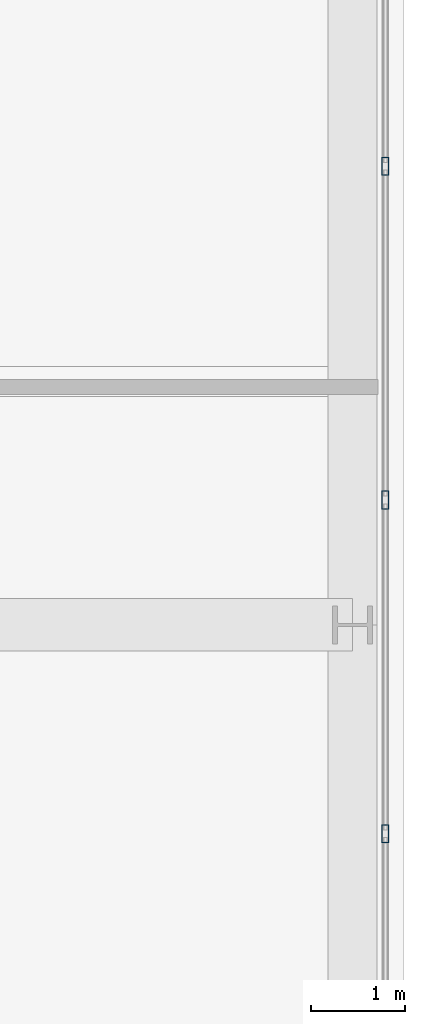
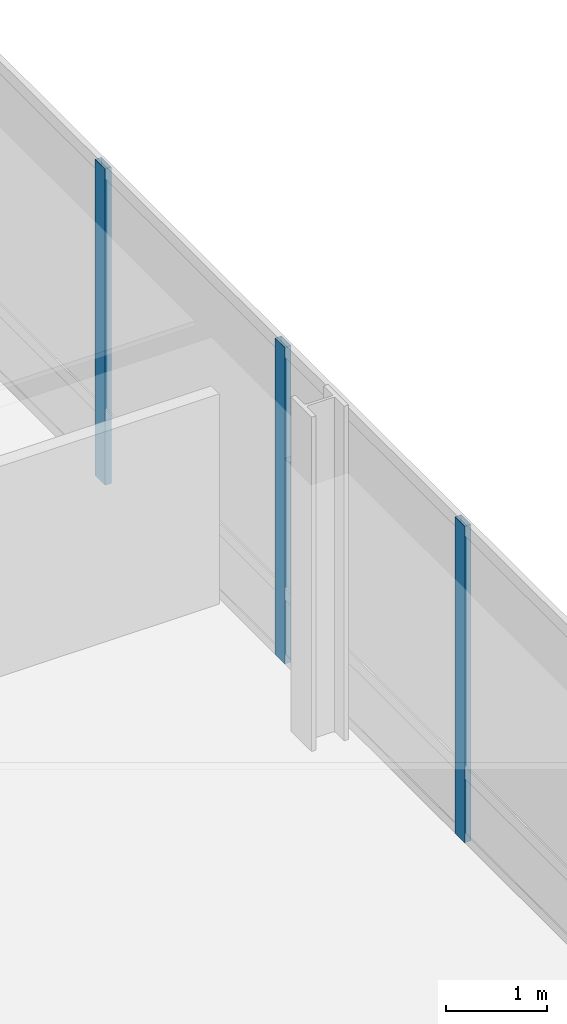
# One storey, part 19 of 36: 3 members, 1 element without a shape of its own.
"""IFC4 building model written with IfcOpenShell, lengths in metres."""

from ifc_helpers import new_model, si_unit, direction, frame, origin, origin_2d, place, context, subcontext, project, spatial, hollow_rectangle, extrude, material, material_profile, profile_set, type_object, element, aggregate, save


model = new_model("IFC4")

# Units and contexts
model_context = context("Model", 3, precision=1e-05, world=origin(), true_north=direction((0.0, 1.0)))
body_context = subcontext(model_context, "Body", "Model", "MODEL_VIEW")
ifc_project = project(units=[si_unit("LENGTHUNIT", "METRE"), si_unit("AREAUNIT", "SQUARE_METRE"), si_unit("VOLUMEUNIT", "CUBIC_METRE"), si_unit("PLANEANGLEUNIT", "RADIAN"), si_unit("MASSUNIT", "GRAM", prefix="KILO")], contexts=[model_context])

# Site, building, storey
site_placement = place(None, origin())
site = spatial("IfcSite", under=ifc_project, at=site_placement, CompositionType="ELEMENT")
building_placement = place(site_placement, origin())
building = spatial("IfcBuilding", under=site, at=building_placement, Name="Punatoya Terracotta Tower", CompositionType="ELEMENT")
storey_placement = place(building_placement, frame((0.0, 0.0, 208.64990234375)))
storey = spatial("IfcBuildingStorey", under=building, at=storey_placement, Name="L49", CompositionType="ELEMENT", Elevation=208.64990234375)

# Curtain wall, members
ifc_material_1 = material(Name="Aluminium 6063-T6 + Double Low-E Glass", Category="aluminium")
curtain_wall_type = type_object("IfcCurtainWallType", Name="CW-M2", PredefinedType="NOTDEFINED", material=ifc_material_1)
curtain_wall_placement = place(storey_placement, origin())
curtain_wall = element("IfcCurtainWall", 1, at=curtain_wall_placement, inside=storey, type_object=curtain_wall_type, Name="L49 Curtain Wall CW-L49-E05-1", PredefinedType="NOTDEFINED")
ifc_material_2 = material(Name="Aluminium 6063-T6", Category="aluminium")
ifc_material_profile = material_profile(ifc_material_2, hollow_rectangle(XDim=0.072021484375, YDim=0.195068359375, WallThickness=0.00439453125, at=origin_2d()))
ifc_profile_set = profile_set([ifc_material_profile], Name="Aluminium 6063-T6")
member_type = type_object("IfcMemberType", Name="CW-MUL-M2", PredefinedType="MULLION", material=ifc_profile_set)
member_1_placement = place(storey_placement, frame((24.85009765625, 1.16748046875, 0.0), z_axis=(0.0, 0.0, 1.0), x_axis=(1.0, 0.0, 0.0)))
member_1 = element("IfcMember", 2, at=member_1_placement, type_object=member_type, Name="CW-L49-E05-1 Mullion 06", PredefinedType="MULLION", context=body_context, shape_type="SweptSolid", body=[
    extrude(hollow_rectangle(XDim=0.072021484375, YDim=0.195068359375, WallThickness=0.00439453125, at=origin_2d()), origin(), (0.0, 0.0, 1.0), 3.830078125),
])
member_2_placement = place(storey_placement, frame((24.85009765625, 4.73486328125, 0.0), z_axis=(0.0, 0.0, 1.0), x_axis=(1.0, 0.0, 0.0)))
member_2 = element("IfcMember", 3, at=member_2_placement, type_object=member_type, Name="CW-L49-E05-1 Mullion 07", PredefinedType="MULLION", context=body_context, shape_type="SweptSolid", body=[
    extrude(hollow_rectangle(XDim=0.072021484375, YDim=0.195068359375, WallThickness=0.00439453125, at=origin_2d()), origin(), (0.0, 0.0, 1.0), 3.830078125),
])
member_3_placement = place(storey_placement, frame((24.85009765625, 8.302001953125, 0.0), z_axis=(0.0, 0.0, 1.0), x_axis=(1.0, 0.0, 0.0)))
member_3 = element("IfcMember", 4, at=member_3_placement, type_object=member_type, Name="CW-L49-E05-1 Mullion 08", PredefinedType="MULLION", context=body_context, shape_type="SweptSolid", body=[
    extrude(hollow_rectangle(XDim=0.072021484375, YDim=0.195068359375, WallThickness=0.00439453125, at=origin_2d()), origin(), (0.0, 0.0, 1.0), 3.830078125),
])
aggregate(curtain_wall, [member_1, member_2, member_3])

save(model, "model.ifc")
